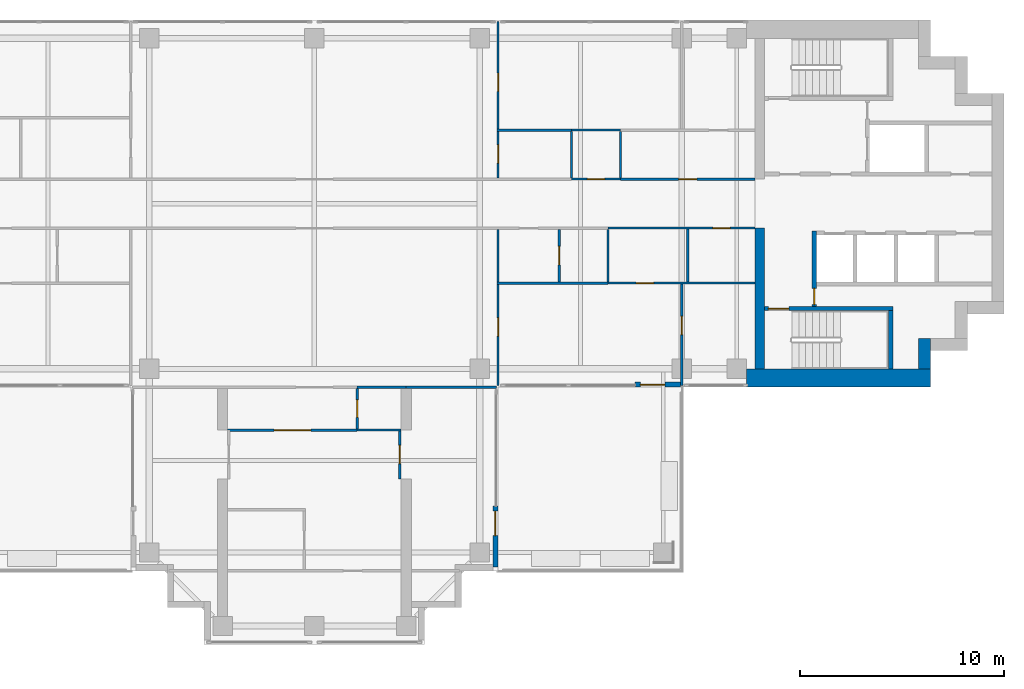
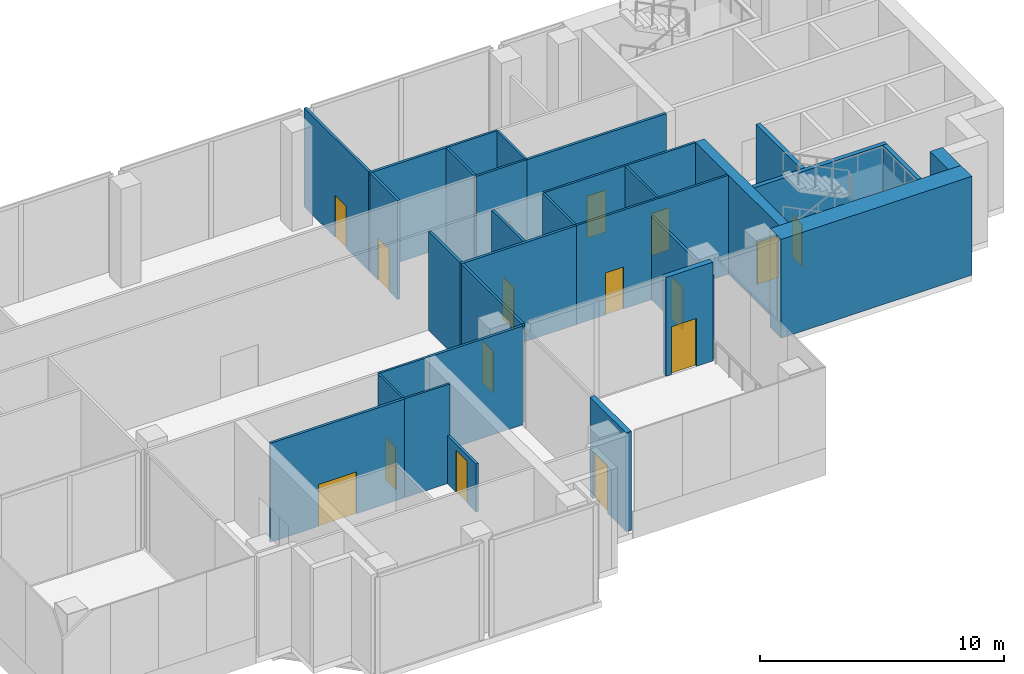
# One storey, part 7 of 12: 29 walls, 16 doors, 16 openings.
"""IFC4 building model written with IfcOpenShell, lengths in metres."""

from ifc_helpers import new_model, si_unit, direction, frame, frame_2d, origin, place, context, subcontext, project, spatial, rectangle, extrude, material, layer, layer_set, type_object, element, fill, save


model = new_model("IFC4")

# Units and contexts
model_context = context("Model", 3, precision=1e-05, world=origin(), true_north=direction((0.0, 1.0)))
body_context = subcontext(model_context, "Body", "Model", "MODEL_VIEW")
ifc_project = project(units=[si_unit("LENGTHUNIT", "METRE"), si_unit("AREAUNIT", "SQUARE_METRE"), si_unit("VOLUMEUNIT", "CUBIC_METRE"), si_unit("PLANEANGLEUNIT", "RADIAN"), si_unit("MASSUNIT", "GRAM", prefix="KILO")], contexts=[model_context])

# Site, building, storey
site_placement = place(None, origin())
site = spatial("IfcSite", under=ifc_project, at=site_placement, CompositionType="ELEMENT")
building_placement = place(site_placement, origin())
building = spatial("IfcBuilding", under=site, at=building_placement, Name="Perihelion Cross Residences", CompositionType="ELEMENT")
storey_placement = place(building_placement, frame((0.0, 0.0, 222.60009765625)))
storey = spatial("IfcBuildingStorey", under=building, at=storey_placement, Name="L56", CompositionType="ELEMENT", Elevation=222.60009765625)

# Wall, opening, door
ifc_material_1 = material(Name="Concrete C30/37, bronze-clad", Category="concrete")
ifc_layer_1 = layer(ifc_material_1, 0.25)
ifc_layer_set_1 = layer_set([ifc_layer_1], Name="Bronze-clad pier wall 250")
wall_type_1 = type_object("IfcWallType", Name="Bronze-clad pier wall 250", PredefinedType="SOLIDWALL", material=ifc_layer_set_1)
wall_1_placement = place(storey_placement, frame((8.875, -17.800048828125, 0.0), z_axis=(0.0, 0.0, 1.0), x_axis=(0.0, 1.0, 0.0)))
wall_1 = element("IfcWall", 1, at=wall_1_placement, inside=storey, type_object=wall_type_1, Name="Wall FW1 L56 south side east bay 1 pier", PredefinedType="SOLIDWALL", context=body_context, shape_type="SweptSolid", body=[
    extrude(rectangle(XDim=2.97509765625, YDim=0.25, at=frame_2d((1.487548828125, 0.0))), origin(), (0.0, 0.0, 1.0), 4.949951171875),
])
opening_1_placement = place(wall_1_placement, frame((1.52490234375, 0.0, 0.0)))
opening_1 = element("IfcOpeningElement", 2, at=opening_1_placement, cuts=wall_1, Name="Opening L56.E03", PredefinedType="OPENING", context=body_context, shape_type="SweptSolid", body=[
    extrude(rectangle(XDim=1.199951171875, YDim=2.39990234375, at=frame_2d((0.60009765625, 1.199951171875))), frame((0.0, 0.135009765625, 0.0), z_axis=(0.0, -1.0, 0.0), x_axis=(1.0, 0.0, 0.0)), (0.0, 0.0, 1.0), 0.27001953125),
])
ifc_material_2 = material(Name="Bronze anodised aluminium, glazed", Category="aluminium")
door_type_1 = type_object("IfcDoorType", Name="Balcony door 1200 x 2400", OperationType="NOTDEFINED", PredefinedType="DOOR", material=ifc_material_2)
door_1_placement = place(opening_1_placement, origin())
door_1 = element("IfcDoor", 3, at=door_1_placement, inside=storey, type_object=door_type_1, Name="Door L56.E03 south side east bay 1", OperationType="SINGLE_SWING_RIGHT", OverallHeight=2.39990234375, OverallWidth=1.199951171875, PredefinedType="DOOR", context=body_context, shape_type="SweptSolid", body=[
    extrude(rectangle(XDim=1.199951171875, YDim=2.39990234375, at=frame_2d((0.60009765625, 1.199951171875))), frame((0.0, 0.02490234375, 0.0), z_axis=(0.0, -1.0, 0.0), x_axis=(1.0, 0.0, 0.0)), (0.0, 0.0, 1.0), 0.050048828125),
])
fill(opening_1, door_1)

wall_2_placement = place(storey_placement, frame((15.72509765625, -8.875, 0.0), z_axis=(0.0, 0.0, 1.0), x_axis=(1.0, 0.0, 0.0)))
wall_2 = element("IfcWall", 4, at=wall_2_placement, inside=storey, type_object=wall_type_1, Name="Wall FW1 L56 east side south bay 1 pier", PredefinedType="SOLIDWALL", context=body_context, shape_type="SweptSolid", body=[
    extrude(rectangle(XDim=2.21484375, YDim=0.25, at=frame_2d((1.107421875, 0.0))), origin(), (0.0, 0.0, 1.0), 4.949951171875),
])
opening_2_placement = place(wall_2_placement, frame((0.25, 0.0, 0.0)))
opening_2 = element("IfcOpeningElement", 5, at=opening_2_placement, cuts=wall_2, Name="Opening L56.E04", PredefinedType="OPENING", context=body_context, shape_type="SweptSolid", body=[
    extrude(rectangle(XDim=1.199951171875, YDim=2.39990234375, at=frame_2d((0.60009765625, 1.199951171875))), frame((0.0, 0.135009765625, 0.0), z_axis=(0.0, -1.0, 0.0), x_axis=(1.0, 0.0, 0.0)), (0.0, 0.0, 1.0), 0.27001953125),
])
door_2_placement = place(opening_2_placement, origin())
door_2 = element("IfcDoor", 6, at=door_2_placement, inside=storey, type_object=door_type_1, Name="Door L56.E04 east side south bay 1", OperationType="SINGLE_SWING_LEFT", OverallHeight=2.39990234375, OverallWidth=1.199951171875, PredefinedType="DOOR", context=body_context, shape_type="SweptSolid", body=[
    extrude(rectangle(XDim=1.199951171875, YDim=2.39990234375, at=frame_2d((0.60009765625, 1.199951171875))), frame((0.0, 0.02490234375, 0.0), z_axis=(0.0, -1.0, 0.0), x_axis=(1.0, 0.0, 0.0)), (0.0, 0.0, 1.0), 0.050048828125),
])
fill(opening_2, door_2)

# Walls
ifc_material_3 = material(Name="Concrete C60/75", Category="concrete")
ifc_layer_2 = layer(ifc_material_3, 0.449951171875)
ifc_layer_set_2 = layer_set([ifc_layer_2], Name="Core wall, inner 450")
wall_type_2 = type_object("IfcWallType", Name="Core wall, inner 450", PredefinedType="SHEAR", material=ifc_layer_set_2)
wall_3_placement = place(storey_placement, frame((21.824951171875, -8.10009765625, 0.0), z_axis=(0.0, 0.0, 1.0), x_axis=(0.0, 1.0, 0.0)))
element("IfcWall", 7, at=wall_3_placement, inside=storey, type_object=wall_type_2, Name="East core core wall, inner", PredefinedType="SHEAR", context=body_context, shape_type="SweptSolid", body=[
    extrude(rectangle(XDim=6.900146484375, YDim=0.449951171875, at=frame_2d((3.4501953125, 0.0))), origin(), (0.0, 0.0, 1.0), 4.949951171875),
])
ifc_material_4 = material(Name="Concrete C60/75", Category="concrete")
ifc_layer_3 = layer(ifc_material_4, 0.60009765625)
ifc_layer_set_3 = layer_set([ifc_layer_3], Name="Core wall, outer 600")
wall_type_3 = type_object("IfcWallType", Name="Core wall, outer 600", PredefinedType="SHEAR", material=ifc_layer_set_3)
wall_4_placement = place(storey_placement, frame((29.89990234375, -8.10009765625, 0.0), z_axis=(0.0, 0.0, 1.0), x_axis=(0.0, 1.0, 0.0)))
element("IfcWall", 8, at=wall_4_placement, inside=storey, type_object=wall_type_3, Name="East core core wall, outer", PredefinedType="SHEAR", context=body_context, shape_type="SweptSolid", body=[
    extrude(rectangle(XDim=1.5, YDim=0.60009765625, at=frame_2d((0.75, 0.0))), origin(), (0.0, 0.0, 1.0), 4.949951171875),
])
ifc_material_5 = material(Name="Concrete C60/75", Category="concrete")
ifc_layer_4 = layer(ifc_material_5, 0.89990234375)
ifc_layer_set_4 = layer_set([ifc_layer_4], Name="Core wall, outer 900")
wall_type_4 = type_object("IfcWallType", Name="Core wall, outer 900", PredefinedType="SHEAR", material=ifc_layer_set_4)
wall_5_placement = place(storey_placement, frame((21.175048828125, -8.550048828125, 0.0), z_axis=(0.0, 0.0, 1.0), x_axis=(1.0, 0.0, 0.0)))
element("IfcWall", 9, at=wall_5_placement, inside=storey, type_object=wall_type_4, Name="East core core wall, outer", PredefinedType="SHEAR", context=body_context, shape_type="SweptSolid", body=[
    extrude(rectangle(XDim=9.02490234375, YDim=0.89990234375, at=frame_2d((4.512451171875, 0.0))), origin(), (0.0, 0.0, 1.0), 4.949951171875),
])

# Wall, opening, door
ifc_material_6 = material(Name="Plasterboard partition")
ifc_layer_5 = layer(ifc_material_6, 0.1201171875)
ifc_layer_set_5 = layer_set([ifc_layer_5], Name="Infill panel 120")
wall_type_5 = type_object("IfcWallType", Name="Infill panel 120", PredefinedType="PARTITIONING", material=ifc_layer_set_5)
wall_6_placement = place(storey_placement, frame((4.18994140625, -11.10009765625, 0.0), z_axis=(0.0, 0.0, 1.0), x_axis=(0.0, -1.0, 0.0)))
wall_6 = element("IfcWall", 10, at=wall_6_placement, inside=storey, type_object=wall_type_5, Name="Partition L56 WI01", PredefinedType="PARTITIONING", context=body_context, shape_type="SweptSolid", body=[
    extrude(rectangle(XDim=2.39990234375, YDim=0.1201171875, at=frame_2d((1.199951171875, 0.0))), origin(), (0.0, 0.0, 1.0), 2.39990234375),
])
opening_3_placement = place(wall_6_placement, frame((0.75, 0.0, 0.0)))
opening_3 = element("IfcOpeningElement", 11, at=opening_3_placement, cuts=wall_6, Name="Opening L56.A27", PredefinedType="OPENING", context=body_context, shape_type="SweptSolid", body=[
    extrude(rectangle(XDim=0.89990234375, YDim=2.10009765625, at=frame_2d((0.449951171875, 1.050048828125))), frame((0.0, 0.070068359375, 0.0), z_axis=(0.0, -1.0, 0.0), x_axis=(1.0, 0.0, 0.0)), (0.0, 0.0, 1.0), 0.14013671875),
])
ifc_material_7 = material(Name="Timber door leaf", Category="wood")
door_type_2 = type_object("IfcDoorType", Name="Interior room door 900 x 2100", OperationType="SINGLE_SWING_LEFT", PredefinedType="DOOR", material=ifc_material_7)
door_3_placement = place(opening_3_placement, origin())
door_3 = element("IfcDoor", 12, at=door_3_placement, inside=storey, type_object=door_type_2, Name="Door L56.A27", OperationType="SINGLE_SWING_RIGHT", OverallHeight=2.10009765625, OverallWidth=0.89990234375, PredefinedType="DOOR", context=body_context, shape_type="SweptSolid", body=[
    extrude(rectangle(XDim=0.89990234375, YDim=2.10009765625, at=frame_2d((0.449951171875, 1.050048828125))), frame((0.0, 0.02490234375, 0.0), z_axis=(0.0, -1.0, 0.0), x_axis=(1.0, 0.0, 0.0)), (0.0, 0.0, 1.0), 0.050048828125),
])
fill(opening_3, door_3)

ifc_material_8 = material(Name="Concrete C50/60", Category="concrete")
ifc_layer_6 = layer(ifc_material_8, 0.199951171875)
ifc_layer_set_6 = layer_set([ifc_layer_6], Name="Lobby wall 200")
wall_type_6 = type_object("IfcWallType", Name="Lobby wall 200", PredefinedType="SOLIDWALL", material=ifc_layer_set_6)
wall_7_placement = place(storey_placement, frame((24.5, -5.050048828125, 0.0), z_axis=(0.0, 0.0, 1.0), x_axis=(0.0, 1.0, 0.0)))
wall_7 = element("IfcWall", 13, at=wall_7_placement, inside=storey, type_object=wall_type_6, Name="East core lobby wall", PredefinedType="SOLIDWALL", context=body_context, shape_type="SweptSolid", body=[
    extrude(rectangle(XDim=3.699951171875, YDim=0.199951171875, at=frame_2d((1.85009765625, 0.0))), origin(), (0.0, 0.0, 1.0), 4.949951171875),
])
opening_4_placement = place(wall_7_placement, frame((0.10009765625, 0.0, 0.0)))
opening_4 = element("IfcOpeningElement", 14, at=opening_4_placement, cuts=wall_7, Name="Opening L56.C08", PredefinedType="OPENING", context=body_context, shape_type="SweptSolid", body=[
    extrude(rectangle(XDim=0.800048828125, YDim=2.10009765625, at=frame_2d((0.39990234375, 1.050048828125))), frame((0.0, 0.10986328125, 0.0), z_axis=(0.0, -1.0, 0.0), x_axis=(1.0, 0.0, 0.0)), (0.0, 0.0, 1.0), 0.219970703125),
])
ifc_material_9 = material(Name="Steel, powder coated", Category="steel")
door_type_3 = type_object("IfcDoorType", Name="Riser door 800", OperationType="SINGLE_SWING_LEFT", PredefinedType="DOOR", material=ifc_material_9)
door_4_placement = place(opening_4_placement, origin())
door_4 = element("IfcDoor", 15, at=door_4_placement, inside=storey, type_object=door_type_3, Name="East core riser door", OperationType="SINGLE_SWING_LEFT", OverallHeight=2.10009765625, OverallWidth=0.800048828125, PredefinedType="DOOR", context=body_context, shape_type="SweptSolid", body=[
    extrude(rectangle(XDim=0.800048828125, YDim=2.10009765625, at=frame_2d((0.39990234375, 1.050048828125))), frame((0.0, 0.02490234375, 0.0), z_axis=(0.0, -1.0, 0.0), x_axis=(1.0, 0.0, 0.0)), (0.0, 0.0, 1.0), 0.050048828125),
])
fill(opening_4, door_4)

ifc_material_10 = material(Name="Plasterboard partition")
ifc_layer_7 = layer(ifc_material_10, 0.1201171875)
ifc_layer_set_7 = layer_set([ifc_layer_7], Name="Partition wall 120")
wall_type_7 = type_object("IfcWallType", Name="Partition wall 120", PredefinedType="PARTITIONING", material=ifc_layer_set_7)
wall_8_placement = place(storey_placement, frame((15.0, 1.199951171875, 0.0), z_axis=(0.0, 0.0, 1.0), x_axis=(1.0, 0.0, 0.0)))
wall_8 = element("IfcWall", 16, at=wall_8_placement, inside=storey, type_object=wall_type_7, Name="Partition L56 W004", PredefinedType="PARTITIONING", context=body_context, shape_type="SweptSolid", body=[
    extrude(rectangle(XDim=6.60009765625, YDim=0.1201171875, at=frame_2d((3.300048828125, 0.0))), origin(), (0.0, 0.0, 1.0), 4.949951171875),
])
opening_5_placement = place(wall_8_placement, frame((2.85009765625, 0.0, 0.0)))
opening_5 = element("IfcOpeningElement", 17, at=opening_5_placement, cuts=wall_8, Name="Opening L56.A04", PredefinedType="OPENING", context=body_context, shape_type="SweptSolid", body=[
    extrude(rectangle(XDim=0.89990234375, YDim=2.10009765625, at=frame_2d((0.449951171875, 1.050048828125))), frame((0.0, 0.070068359375, 0.0), z_axis=(0.0, -1.0, 0.0), x_axis=(1.0, 0.0, 0.0)), (0.0, 0.0, 1.0), 0.14013671875),
])
door_5_placement = place(opening_5_placement, origin())
door_5 = element("IfcDoor", 18, at=door_5_placement, inside=storey, type_object=door_type_2, Name="Door L56.A04", OperationType="SINGLE_SWING_RIGHT", OverallHeight=2.10009765625, OverallWidth=0.89990234375, PredefinedType="DOOR", context=body_context, shape_type="SweptSolid", body=[
    extrude(rectangle(XDim=0.89990234375, YDim=2.10009765625, at=frame_2d((0.449951171875, 1.050048828125))), frame((0.0, 0.02490234375, 0.0), z_axis=(0.0, -1.0, 0.0), x_axis=(1.0, 0.0, 0.0)), (0.0, 0.0, 1.0), 0.050048828125),
])
fill(opening_5, door_5)

# Wall, openings, doors
wall_9_placement = place(storey_placement, frame((9.0, 8.919921875, 0.0), z_axis=(0.0, 0.0, 1.0), x_axis=(0.0, -1.0, 0.0)))
wall_9 = element("IfcWall", 19, at=wall_9_placement, inside=storey, type_object=wall_type_7, Name="Partition L56 W008", PredefinedType="PARTITIONING", context=body_context, shape_type="SweptSolid", body=[
    extrude(rectangle(XDim=7.659912109375, YDim=0.1201171875, at=frame_2d((3.830078125, 0.0))), origin(), (0.0, 0.0, 1.0), 4.949951171875),
])
opening_6_placement = place(wall_9_placement, frame((6.0400390625, 0.0, 0.0)))
opening_6 = element("IfcOpeningElement", 20, at=opening_6_placement, cuts=wall_9, Name="Opening L56.A11", PredefinedType="OPENING", context=body_context, shape_type="SweptSolid", body=[
    extrude(rectangle(XDim=0.89990234375, YDim=2.10009765625, at=frame_2d((0.449951171875, 1.050048828125))), frame((0.0, 0.070068359375, 0.0), z_axis=(0.0, -1.0, 0.0), x_axis=(1.0, 0.0, 0.0)), (0.0, 0.0, 1.0), 0.14013671875),
])
opening_7_placement = place(wall_9_placement, frame((2.52001953125, 0.0, 0.0)))
opening_7 = element("IfcOpeningElement", 21, at=opening_7_placement, cuts=wall_9, Name="Opening L56.A14", PredefinedType="OPENING", context=body_context, shape_type="SweptSolid", body=[
    extrude(rectangle(XDim=0.89990234375, YDim=2.10009765625, at=frame_2d((0.449951171875, 1.050048828125))), frame((0.0, 0.070068359375, 0.0), z_axis=(0.0, -1.0, 0.0), x_axis=(1.0, 0.0, 0.0)), (0.0, 0.0, 1.0), 0.14013671875),
])
door_6_placement = place(opening_6_placement, origin())
door_6 = element("IfcDoor", 22, at=door_6_placement, inside=storey, type_object=door_type_2, Name="Door L56.A11", OperationType="SINGLE_SWING_RIGHT", OverallHeight=2.10009765625, OverallWidth=0.89990234375, PredefinedType="DOOR", context=body_context, shape_type="SweptSolid", body=[
    extrude(rectangle(XDim=0.89990234375, YDim=2.10009765625, at=frame_2d((0.449951171875, 1.050048828125))), frame((0.0, 0.02490234375, 0.0), z_axis=(0.0, -1.0, 0.0), x_axis=(1.0, 0.0, 0.0)), (0.0, 0.0, 1.0), 0.050048828125),
])
fill(opening_6, door_6)
door_7_placement = place(opening_7_placement, origin())
door_7 = element("IfcDoor", 23, at=door_7_placement, inside=storey, type_object=door_type_2, Name="Door L56.A14", OperationType="SINGLE_SWING_LEFT", OverallHeight=2.10009765625, OverallWidth=0.89990234375, PredefinedType="DOOR", context=body_context, shape_type="SweptSolid", body=[
    extrude(rectangle(XDim=0.89990234375, YDim=2.10009765625, at=frame_2d((0.449951171875, 1.050048828125))), frame((0.0, 0.02490234375, 0.0), z_axis=(0.0, -1.0, 0.0), x_axis=(1.0, 0.0, 0.0)), (0.0, 0.0, 1.0), 0.050048828125),
])
fill(opening_7, door_7)

# Wall, opening, door
wall_10_placement = place(storey_placement, frame((9.0, -1.260009765625, 0.0), z_axis=(0.0, 0.0, 1.0), x_axis=(0.0, -1.0, 0.0)))
wall_10 = element("IfcWall", 24, at=wall_10_placement, inside=storey, type_object=wall_type_7, Name="Partition L56 W010", PredefinedType="PARTITIONING", context=body_context, shape_type="SweptSolid", body=[
    extrude(rectangle(XDim=7.659912109375, YDim=0.1201171875, at=frame_2d((3.830078125, 0.0))), origin(), (0.0, 0.0, 1.0), 4.949951171875),
])
opening_8_placement = place(wall_10_placement, frame((4.340087890625, 0.0, 0.0)))
opening_8 = element("IfcOpeningElement", 25, at=opening_8_placement, cuts=wall_10, Name="Opening L56.A13", PredefinedType="OPENING", context=body_context, shape_type="SweptSolid", body=[
    extrude(rectangle(XDim=0.89990234375, YDim=2.10009765625, at=frame_2d((0.449951171875, 1.050048828125))), frame((0.0, 0.070068359375, 0.0), z_axis=(0.0, -1.0, 0.0), x_axis=(1.0, 0.0, 0.0)), (0.0, 0.0, 1.0), 0.14013671875),
])
door_8_placement = place(opening_8_placement, origin())
door_8 = element("IfcDoor", 26, at=door_8_placement, inside=storey, type_object=door_type_2, Name="Door L56.A13", OperationType="SINGLE_SWING_RIGHT", OverallHeight=2.10009765625, OverallWidth=0.89990234375, PredefinedType="DOOR", context=body_context, shape_type="SweptSolid", body=[
    extrude(rectangle(XDim=0.89990234375, YDim=2.10009765625, at=frame_2d((0.449951171875, 1.050048828125))), frame((0.0, 0.02490234375, 0.0), z_axis=(0.0, -1.0, 0.0), x_axis=(1.0, 0.0, 0.0)), (0.0, 0.0, 1.0), 0.050048828125),
])
fill(opening_8, door_8)

# Walls
wall_11_placement = place(storey_placement, frame((8.919921875, -9.0, 0.0), z_axis=(0.0, 0.0, 1.0), x_axis=(-1.0, 0.0, 0.0)))
element("IfcWall", 27, at=wall_11_placement, inside=storey, type_object=wall_type_7, Name="Partition L56 W014", PredefinedType="PARTITIONING", context=body_context, shape_type="SweptSolid", body=[
    extrude(rectangle(XDim=4.419921875, YDim=0.1201171875, at=frame_2d((2.2099609375, 0.0))), origin(), (0.0, 0.0, 1.0), 4.949951171875),
])
wall_12_placement = place(storey_placement, frame((12.60009765625, 3.60009765625, 0.0), z_axis=(0.0, 0.0, 1.0), x_axis=(-1.0, 0.0, 0.0)))
element("IfcWall", 28, at=wall_12_placement, inside=storey, type_object=wall_type_7, Name="Partition L56 W016", PredefinedType="PARTITIONING", context=body_context, shape_type="SweptSolid", body=[
    extrude(rectangle(XDim=3.66015625, YDim=0.1201171875, at=frame_2d((1.830078125, 0.0))), origin(), (0.0, 0.0, 1.0), 4.949951171875),
])

# Wall, opening, door
wall_13_placement = place(storey_placement, frame((18.0, -3.949951171875, 0.0), z_axis=(0.0, 0.0, 1.0), x_axis=(0.0, -1.0, 0.0)))
wall_13 = element("IfcWall", 29, at=wall_13_placement, inside=storey, type_object=wall_type_7, Name="Partition L56 W021", PredefinedType="PARTITIONING", context=body_context, shape_type="SweptSolid", body=[
    extrude(rectangle(XDim=4.969970703125, YDim=0.1201171875, at=frame_2d((2.48486328125, 0.0))), origin(), (0.0, 0.0, 1.0), 4.179931640625),
])
opening_9_placement = place(wall_13_placement, frame((1.574951171875, 0.0, 0.0)))
opening_9 = element("IfcOpeningElement", 30, at=opening_9_placement, cuts=wall_13, Name="Opening L56.A12", PredefinedType="OPENING", context=body_context, shape_type="SweptSolid", body=[
    extrude(rectangle(XDim=0.89990234375, YDim=2.10009765625, at=frame_2d((0.449951171875, 1.050048828125))), frame((0.0, 0.070068359375, 0.0), z_axis=(0.0, -1.0, 0.0), x_axis=(1.0, 0.0, 0.0)), (0.0, 0.0, 1.0), 0.14013671875),
])
door_9_placement = place(opening_9_placement, origin())
door_9 = element("IfcDoor", 31, at=door_9_placement, inside=storey, type_object=door_type_2, Name="Door L56.A12", OperationType="SINGLE_SWING_RIGHT", OverallHeight=2.10009765625, OverallWidth=0.89990234375, PredefinedType="DOOR", context=body_context, shape_type="SweptSolid", body=[
    extrude(rectangle(XDim=0.89990234375, YDim=2.10009765625, at=frame_2d((0.449951171875, 1.050048828125))), frame((0.0, 0.02490234375, 0.0), z_axis=(0.0, -1.0, 0.0), x_axis=(1.0, 0.0, 0.0)), (0.0, 0.0, 1.0), 0.050048828125),
])
fill(opening_9, door_9)

# Wall
wall_14_placement = place(storey_placement, frame((8.93994140625, -3.89990234375, 0.0), z_axis=(0.0, 0.0, 1.0), x_axis=(1.0, 0.0, 0.0)))
element("IfcWall", 32, at=wall_14_placement, inside=storey, type_object=wall_type_7, Name="Partition L56 W022", PredefinedType="PARTITIONING", context=body_context, shape_type="SweptSolid", body=[
    extrude(rectangle(XDim=5.4599609375, YDim=0.1201171875, at=frame_2d((2.72998046875, 0.0))), origin(), (0.0, 0.0, 1.0), 4.949951171875),
])

# Wall, opening, door
wall_15_placement = place(storey_placement, frame((12.0, -1.260009765625, 0.0), z_axis=(0.0, 0.0, 1.0), x_axis=(0.0, -1.0, 0.0)))
wall_15 = element("IfcWall", 33, at=wall_15_placement, inside=storey, type_object=wall_type_7, Name="Partition L56 W024", PredefinedType="PARTITIONING", context=body_context, shape_type="SweptSolid", body=[
    extrude(rectangle(XDim=2.580078125, YDim=0.1201171875, at=frame_2d((1.2900390625, 0.0))), origin(), (0.0, 0.0, 1.0), 4.949951171875),
])
opening_10_placement = place(wall_15_placement, frame((0.840087890625, 0.0, 0.0)))
opening_10 = element("IfcOpeningElement", 34, at=opening_10_placement, cuts=wall_15, Name="Opening L56.A18", PredefinedType="OPENING", context=body_context, shape_type="SweptSolid", body=[
    extrude(rectangle(XDim=0.89990234375, YDim=2.10009765625, at=frame_2d((0.449951171875, 1.050048828125))), frame((0.0, 0.070068359375, 0.0), z_axis=(0.0, -1.0, 0.0), x_axis=(1.0, 0.0, 0.0)), (0.0, 0.0, 1.0), 0.14013671875),
])
door_10_placement = place(opening_10_placement, origin())
door_10 = element("IfcDoor", 35, at=door_10_placement, inside=storey, type_object=door_type_2, Name="Door L56.A18", OperationType="SINGLE_SWING_LEFT", OverallHeight=2.10009765625, OverallWidth=0.89990234375, PredefinedType="DOOR", context=body_context, shape_type="SweptSolid", body=[
    extrude(rectangle(XDim=0.89990234375, YDim=2.10009765625, at=frame_2d((0.449951171875, 1.050048828125))), frame((0.0, 0.02490234375, 0.0), z_axis=(0.0, -1.0, 0.0), x_axis=(1.0, 0.0, 0.0)), (0.0, 0.0, 1.0), 0.050048828125),
])
fill(opening_10, door_10)

wall_16_placement = place(storey_placement, frame((2.10009765625, -11.10009765625, 0.0), z_axis=(0.0, 0.0, 1.0), x_axis=(-1.0, 0.0, 0.0)))
wall_16 = element("IfcWall", 36, at=wall_16_placement, inside=storey, type_object=wall_type_7, Name="Partition L56 W036", PredefinedType="PARTITIONING", context=body_context, shape_type="SweptSolid", body=[
    extrude(rectangle(XDim=6.35009765625, YDim=0.1201171875, at=frame_2d((3.175048828125, 0.0))), origin(), (0.0, 0.0, 1.0), 4.949951171875),
])
opening_11_placement = place(wall_16_placement, frame((2.27490234375, 0.0, 0.0)))
opening_11 = element("IfcOpeningElement", 37, at=opening_11_placement, cuts=wall_16, Name="Opening L56.A24", PredefinedType="OPENING", context=body_context, shape_type="SweptSolid", body=[
    extrude(rectangle(XDim=1.800048828125, YDim=2.10009765625, at=frame_2d((0.89990234375, 1.050048828125))), frame((0.0, 0.070068359375, 0.0), z_axis=(0.0, -1.0, 0.0), x_axis=(1.0, 0.0, 0.0)), (0.0, 0.0, 1.0), 0.14013671875),
])
ifc_material_11 = material(Name="Glazed timber door leaf", Category="wood")
door_type_4 = type_object("IfcDoorType", Name="Interior double leaf door 1800 x 2100", OperationType="DOUBLE_DOOR_SINGLE_SWING", PredefinedType="DOOR", material=ifc_material_11)
door_11_placement = place(opening_11_placement, origin())
door_11 = element("IfcDoor", 38, at=door_11_placement, inside=storey, type_object=door_type_4, Name="Door L56.A24", OperationType="SINGLE_SWING_LEFT", OverallHeight=2.10009765625, OverallWidth=1.800048828125, PredefinedType="DOOR", context=body_context, shape_type="SweptSolid", body=[
    extrude(rectangle(XDim=1.800048828125, YDim=2.10009765625, at=frame_2d((0.89990234375, 1.050048828125))), frame((0.0, 0.02490234375, 0.0), z_axis=(0.0, -1.0, 0.0), x_axis=(1.0, 0.0, 0.0)), (0.0, 0.0, 1.0), 0.050048828125),
])
fill(opening_11, door_11)

ifc_material_12 = material(Name="Concrete C50/60", Category="concrete")
ifc_layer_8 = layer(ifc_material_12, 0.199951171875)
ifc_layer_set_8 = layer_set([ifc_layer_8], Name="Stair wall 200")
wall_type_8 = type_object("IfcWallType", Name="Stair wall 200", PredefinedType="SOLIDWALL", material=ifc_layer_set_8)
wall_17_placement = place(storey_placement, frame((22.050048828125, -5.14990234375, 0.0), z_axis=(0.0, 0.0, 1.0), x_axis=(1.0, 0.0, 0.0)))
wall_17 = element("IfcWall", 39, at=wall_17_placement, inside=storey, type_object=wall_type_8, Name="East core stair wall", PredefinedType="SOLIDWALL", context=body_context, shape_type="SweptSolid", body=[
    extrude(rectangle(XDim=6.300048828125, YDim=0.199951171875, at=frame_2d((3.14990234375, 0.0))), origin(), (0.0, 0.0, 1.0), 4.949951171875),
])
opening_12_placement = place(wall_17_placement, frame((0.199951171875, 0.0, 0.0)))
opening_12 = element("IfcOpeningElement", 40, at=opening_12_placement, cuts=wall_17, Name="Opening L56.C05", PredefinedType="OPENING", context=body_context, shape_type="SweptSolid", body=[
    extrude(rectangle(XDim=1.0, YDim=2.10009765625, at=frame_2d((0.5, 1.050048828125))), frame((0.0, 0.10986328125, 0.0), z_axis=(0.0, -1.0, 0.0), x_axis=(1.0, 0.0, 0.0)), (0.0, 0.0, 1.0), 0.219970703125),
])
ifc_material_13 = material(Name="Steel, powder coated", Category="steel")
door_type_5 = type_object("IfcDoorType", Name="Stair door 1000", OperationType="SINGLE_SWING_LEFT", PredefinedType="DOOR", material=ifc_material_13)
door_12_placement = place(opening_12_placement, origin())
door_12 = element("IfcDoor", 41, at=door_12_placement, inside=storey, type_object=door_type_5, Name="East core stair door", OperationType="SINGLE_SWING_LEFT", OverallHeight=2.10009765625, OverallWidth=1.0, PredefinedType="DOOR", context=body_context, shape_type="SweptSolid", body=[
    extrude(rectangle(XDim=1.0, YDim=2.10009765625, at=frame_2d((0.5, 1.050048828125))), frame((0.0, 0.02490234375, 0.0), z_axis=(0.0, -1.0, 0.0), x_axis=(1.0, 0.0, 0.0)), (0.0, 0.0, 1.0), 0.050048828125),
])
fill(opening_12, door_12)

# Wall
wall_18_placement = place(storey_placement, frame((28.25, -8.10009765625, 0.0), z_axis=(0.0, 0.0, 1.0), x_axis=(0.0, 1.0, 0.0)))
element("IfcWall", 42, at=wall_18_placement, inside=storey, type_object=wall_type_8, Name="East core stair wall", PredefinedType="SOLIDWALL", context=body_context, shape_type="SweptSolid", body=[
    extrude(rectangle(XDim=2.85009765625, YDim=0.199951171875, at=frame_2d((1.425048828125, 0.0))), origin(), (0.0, 0.0, 1.0), 4.949951171875),
])

# Wall, opening, door
ifc_material_14 = material(Name="Plasterboard partition")
ifc_layer_9 = layer(ifc_material_14, 0.10009765625)
ifc_layer_set_9 = layer_set([ifc_layer_9], Name="Wet room wall 100")
wall_type_9 = type_object("IfcWallType", Name="Wet room wall 100", PredefinedType="PARTITIONING", material=ifc_layer_set_9)
wall_19_placement = place(storey_placement, frame((12.60009765625, 1.199951171875, 0.0), z_axis=(0.0, 0.0, 1.0), x_axis=(1.0, 0.0, 0.0)))
wall_19 = element("IfcWall", 43, at=wall_19_placement, inside=storey, type_object=wall_type_9, Name="Partition L56 W003", PredefinedType="PARTITIONING", context=body_context, shape_type="SweptSolid", body=[
    extrude(rectangle(XDim=2.39990234375, YDim=0.10009765625, at=frame_2d((1.199951171875, 0.0))), origin(), (0.0, 0.0, 1.0), 4.949951171875),
])
opening_13_placement = place(wall_19_placement, frame((0.77490234375, 0.0, 0.0)))
opening_13 = element("IfcOpeningElement", 44, at=opening_13_placement, cuts=wall_19, Name="Opening L56.A03", PredefinedType="OPENING", context=body_context, shape_type="SweptSolid", body=[
    extrude(rectangle(XDim=0.85009765625, YDim=2.10009765625, at=frame_2d((0.425048828125, 1.050048828125))), frame((0.0, 0.06005859375, 0.0), z_axis=(0.0, -1.0, 0.0), x_axis=(1.0, 0.0, 0.0)), (0.0, 0.0, 1.0), 0.1201171875),
])
ifc_material_15 = material(Name="Timber door leaf", Category="wood")
door_type_6 = type_object("IfcDoorType", Name="Interior bathroom door 850 x 2100", OperationType="SINGLE_SWING_LEFT", PredefinedType="DOOR", material=ifc_material_15)
door_13_placement = place(opening_13_placement, origin())
door_13 = element("IfcDoor", 45, at=door_13_placement, inside=storey, type_object=door_type_6, Name="Door L56.A03", OperationType="SINGLE_SWING_RIGHT", OverallHeight=2.10009765625, OverallWidth=0.85009765625, PredefinedType="DOOR", context=body_context, shape_type="SweptSolid", body=[
    extrude(rectangle(XDim=0.85009765625, YDim=2.10009765625, at=frame_2d((0.425048828125, 1.050048828125))), frame((0.0, 0.02490234375, 0.0), z_axis=(0.0, -1.0, 0.0), x_axis=(1.0, 0.0, 0.0)), (0.0, 0.0, 1.0), 0.050048828125),
])
fill(opening_13, door_13)

wall_20_placement = place(storey_placement, frame((21.60009765625, -1.199951171875, 0.0), z_axis=(0.0, 0.0, 1.0), x_axis=(-1.0, 0.0, 0.0)))
wall_20 = element("IfcWall", 46, at=wall_20_placement, inside=storey, type_object=wall_type_9, Name="Partition L56 W005", PredefinedType="PARTITIONING", context=body_context, shape_type="SweptSolid", body=[
    extrude(rectangle(XDim=7.2001953125, YDim=0.10009765625, at=frame_2d((3.60009765625, 0.0))), origin(), (0.0, 0.0, 1.0), 4.949951171875),
])
opening_14_placement = place(wall_20_placement, frame((1.22509765625, 0.0, 0.0)))
opening_14 = element("IfcOpeningElement", 47, at=opening_14_placement, cuts=wall_20, Name="Opening L56.A06", PredefinedType="OPENING", context=body_context, shape_type="SweptSolid", body=[
    extrude(rectangle(XDim=0.85009765625, YDim=2.10009765625, at=frame_2d((0.425048828125, 1.050048828125))), frame((0.0, 0.06005859375, 0.0), z_axis=(0.0, -1.0, 0.0), x_axis=(1.0, 0.0, 0.0)), (0.0, 0.0, 1.0), 0.1201171875),
])
door_14_placement = place(opening_14_placement, origin())
door_14 = element("IfcDoor", 48, at=door_14_placement, inside=storey, type_object=door_type_6, Name="Door L56.A06", OperationType="SINGLE_SWING_RIGHT", OverallHeight=2.10009765625, OverallWidth=0.85009765625, PredefinedType="DOOR", context=body_context, shape_type="SweptSolid", body=[
    extrude(rectangle(XDim=0.85009765625, YDim=2.10009765625, at=frame_2d((0.425048828125, 1.050048828125))), frame((0.0, 0.02490234375, 0.0), z_axis=(0.0, -1.0, 0.0), x_axis=(1.0, 0.0, 0.0)), (0.0, 0.0, 1.0), 0.050048828125),
])
fill(opening_14, door_14)

# Walls
for number, where, z_axis, x_axis, name in (
    (49, (4.5, -9.0, 0.0), (0.0, 0.0, 1.0), (-1.0, 0.0, 0.0), "Partition L56 W013"),
    (50, (15.0, 3.60009765625, 0.0), (0.0, 0.0, 1.0), (-1.0, 0.0, 0.0), "Partition L56 W017"),
):
    element("IfcWall", number, at=place(storey_placement, frame(where, z_axis=z_axis, x_axis=x_axis)), inside=storey, type_object=wall_type_9, Name=name, PredefinedType="PARTITIONING", context=body_context, shape_type="SweptSolid", body=[
        extrude(rectangle(XDim=2.39990234375, YDim=0.10009765625, at=frame_2d((1.199951171875, 0.0))), origin(), (0.0, 0.0, 1.0), 4.949951171875),
    ])
for number, where, z_axis, x_axis, name in (
    (51, (12.60009765625, 3.5400390625, 0.0), (0.0, 0.0, 1.0), (0.0, -1.0, 0.0), "Partition L56 W019"),
    (52, (15.0, 3.5400390625, 0.0), (0.0, 0.0, 1.0), (0.0, -1.0, 0.0), "Partition L56 W020"),
):
    element("IfcWall", number, at=place(storey_placement, frame(where, z_axis=z_axis, x_axis=x_axis)), inside=storey, type_object=wall_type_9, Name=name, PredefinedType="PARTITIONING", context=body_context, shape_type="SweptSolid", body=[
        extrude(rectangle(XDim=2.280029296875, YDim=0.10009765625, at=frame_2d((1.14013671875, 0.0))), origin(), (0.0, 0.0, 1.0), 4.949951171875),
    ])

# Wall, opening, door
wall_21_placement = place(storey_placement, frame((14.39990234375, -3.89990234375, 0.0), z_axis=(0.0, 0.0, 1.0), x_axis=(1.0, 0.0, 0.0)))
wall_21 = element("IfcWall", 53, at=wall_21_placement, inside=storey, type_object=wall_type_9, Name="Partition L56 W023", PredefinedType="PARTITIONING", context=body_context, shape_type="SweptSolid", body=[
    extrude(rectangle(XDim=7.2001953125, YDim=0.10009765625, at=frame_2d((3.60009765625, 0.0))), origin(), (0.0, 0.0, 1.0), 4.949951171875),
])
opening_15_placement = place(wall_21_placement, frame((1.375, 0.0, 0.0)))
opening_15 = element("IfcOpeningElement", 54, at=opening_15_placement, cuts=wall_21, Name="Opening L56.A19", PredefinedType="OPENING", context=body_context, shape_type="SweptSolid", body=[
    extrude(rectangle(XDim=0.85009765625, YDim=2.10009765625, at=frame_2d((0.425048828125, 1.050048828125))), frame((0.0, 0.06005859375, 0.0), z_axis=(0.0, -1.0, 0.0), x_axis=(1.0, 0.0, 0.0)), (0.0, 0.0, 1.0), 0.1201171875),
])
door_15_placement = place(opening_15_placement, origin())
door_15 = element("IfcDoor", 55, at=door_15_placement, inside=storey, type_object=door_type_6, Name="Door L56.A19", OperationType="SINGLE_SWING_RIGHT", OverallHeight=2.10009765625, OverallWidth=0.85009765625, PredefinedType="DOOR", context=body_context, shape_type="SweptSolid", body=[
    extrude(rectangle(XDim=0.85009765625, YDim=2.10009765625, at=frame_2d((0.425048828125, 1.050048828125))), frame((0.0, 0.02490234375, 0.0), z_axis=(0.0, -1.0, 0.0), x_axis=(1.0, 0.0, 0.0)), (0.0, 0.0, 1.0), 0.050048828125),
])
fill(opening_15, door_15)

# Walls
wall_22_placement = place(storey_placement, frame((14.39990234375, -1.260009765625, 0.0), z_axis=(0.0, 0.0, 1.0), x_axis=(0.0, -1.0, 0.0)))
element("IfcWall", 56, at=wall_22_placement, inside=storey, type_object=wall_type_9, Name="Partition L56 W025", PredefinedType="PARTITIONING", context=body_context, shape_type="SweptSolid", body=[
    extrude(rectangle(XDim=2.580078125, YDim=0.10009765625, at=frame_2d((1.2900390625, 0.0))), origin(), (0.0, 0.0, 1.0), 4.949951171875),
])
wall_23_placement = place(storey_placement, frame((18.300048828125, -1.25, 0.0), z_axis=(0.0, 0.0, 1.0), x_axis=(0.0, -1.0, 0.0)))
element("IfcWall", 57, at=wall_23_placement, inside=storey, type_object=wall_type_9, Name="Partition L56 W026", PredefinedType="PARTITIONING", context=body_context, shape_type="SweptSolid", body=[
    extrude(rectangle(XDim=2.60009765625, YDim=0.10009765625, at=frame_2d((1.300048828125, 0.0))), origin(), (0.0, 0.0, 1.0), 4.949951171875),
])

# Wall, opening, door
wall_24_placement = place(storey_placement, frame((2.10009765625, -9.06005859375, 0.0), z_axis=(0.0, 0.0, 1.0), x_axis=(0.0, -1.0, 0.0)))
wall_24 = element("IfcWall", 58, at=wall_24_placement, inside=storey, type_object=wall_type_9, Name="Partition L56 W035", PredefinedType="PARTITIONING", context=body_context, shape_type="SweptSolid", body=[
    extrude(rectangle(XDim=1.97998046875, YDim=0.10009765625, at=frame_2d((0.989990234375, 0.0))), origin(), (0.0, 0.0, 1.0), 4.949951171875),
])
opening_16_placement = place(wall_24_placement, frame((0.56494140625, 0.0, 0.0)))
opening_16 = element("IfcOpeningElement", 59, at=opening_16_placement, cuts=wall_24, Name="Opening L56.A23", PredefinedType="OPENING", context=body_context, shape_type="SweptSolid", body=[
    extrude(rectangle(XDim=0.85009765625, YDim=2.10009765625, at=frame_2d((0.425048828125, 1.050048828125))), frame((0.0, 0.06005859375, 0.0), z_axis=(0.0, -1.0, 0.0), x_axis=(1.0, 0.0, 0.0)), (0.0, 0.0, 1.0), 0.1201171875),
])
door_16_placement = place(opening_16_placement, origin())
door_16 = element("IfcDoor", 60, at=door_16_placement, inside=storey, type_object=door_type_6, Name="Door L56.A23", OperationType="SINGLE_SWING_RIGHT", OverallHeight=2.10009765625, OverallWidth=0.85009765625, PredefinedType="DOOR", context=body_context, shape_type="SweptSolid", body=[
    extrude(rectangle(XDim=0.85009765625, YDim=2.10009765625, at=frame_2d((0.425048828125, 1.050048828125))), frame((0.0, 0.02490234375, 0.0), z_axis=(0.0, -1.0, 0.0), x_axis=(1.0, 0.0, 0.0)), (0.0, 0.0, 1.0), 0.050048828125),
])
fill(opening_16, door_16)

# Wall
wall_25_placement = place(storey_placement, frame((4.25, -11.10009765625, 0.0), z_axis=(0.0, 0.0, 1.0), x_axis=(-1.0, 0.0, 0.0)))
element("IfcWall", 61, at=wall_25_placement, inside=storey, type_object=wall_type_9, Name="Partition L56 W037", PredefinedType="PARTITIONING", context=body_context, shape_type="SweptSolid", body=[
    extrude(rectangle(XDim=2.14990234375, YDim=0.10009765625, at=frame_2d((1.074951171875, 0.0))), origin(), (0.0, 0.0, 1.0), 4.949951171875),
])

save(model, "model.ifc")
